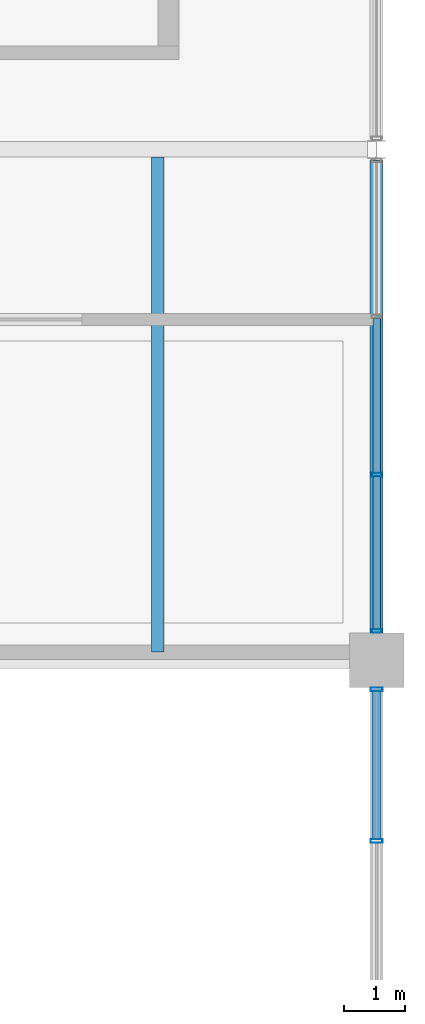
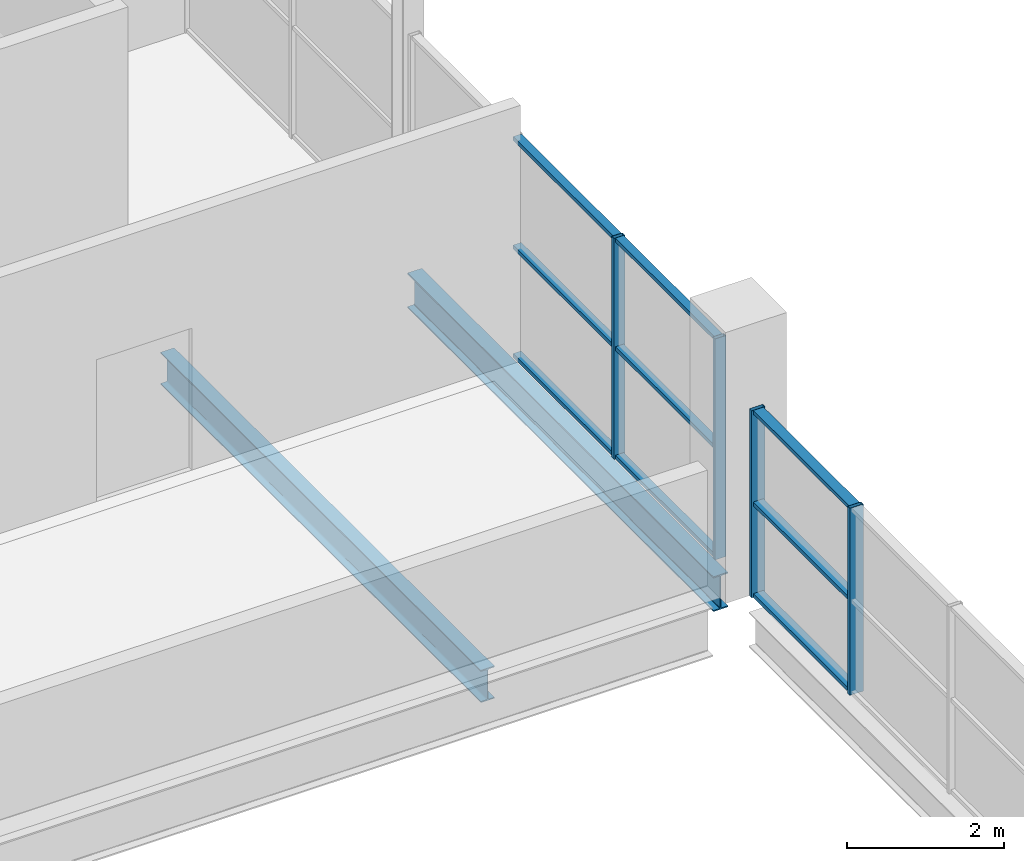
# One storey, part 42 of 68: 13 members, 2 beams, 2 elements without a shape of their own.
"""IFC4 building model written with IfcOpenShell, lengths in metres."""

from ifc_helpers import new_model, si_unit, direction, frame, origin, origin_2d, place, context, subcontext, project, spatial, hollow_rectangle, i_section, extrude, material, material_profile, profile_set, type_object, element, aggregate, save


model = new_model("IFC4")

# Units and contexts
model_context = context("Model", 3, precision=1e-05, world=origin(), true_north=direction((0.0, 1.0)))
body_context = subcontext(model_context, "Body", "Model", "MODEL_VIEW")
ifc_project = project(units=[si_unit("LENGTHUNIT", "METRE"), si_unit("AREAUNIT", "SQUARE_METRE"), si_unit("VOLUMEUNIT", "CUBIC_METRE"), si_unit("PLANEANGLEUNIT", "RADIAN"), si_unit("MASSUNIT", "GRAM", prefix="KILO"), si_unit("THERMODYNAMICTEMPERATUREUNIT", "KELVIN")], contexts=[model_context])

# Site, building, storey
site_placement = place(None, origin())
site = spatial("IfcSite", under=ifc_project, at=site_placement, CompositionType="ELEMENT")
building_placement = place(site_placement, origin())
building = spatial("IfcBuilding", under=site, at=building_placement, Name="Nduvali Passage Aquatics Centre", CompositionType="ELEMENT")
storey_placement = place(building_placement, frame((0.0, 0.0, 13.199951171875)))
storey = spatial("IfcBuildingStorey", under=building, at=storey_placement, Name="L03", CompositionType="ELEMENT", Elevation=13.199951171875)

# Curtain wall, members
ifc_material_1 = material(Name="Aluminium EN AW-6063 T6", Category="aluminium")
curtain_wall_type_1 = type_object("IfcCurtainWallType", Name="ENV-CW-PASS", PredefinedType="NOTDEFINED", material=ifc_material_1)
curtain_wall_1_placement = place(storey_placement, origin())
curtain_wall_1 = element("IfcCurtainWall", 1, at=curtain_wall_1_placement, inside=storey, type_object=curtain_wall_type_1, Name="L03 East Passage Teaching CW 119", PredefinedType="NOTDEFINED")
ifc_material_profile_1 = material_profile(ifc_material_1, hollow_rectangle(XDim=0.06005859375, YDim=0.159912109375, WallThickness=0.00390625, at=origin_2d()), Name="ALU MULLION 60x160x4")
ifc_profile_set_1 = profile_set([ifc_material_profile_1], Name="Aluminium EN AW-6063 T6")
member_type_1 = type_object("IfcMemberType", Name="ENV-MEM-MUL60", PredefinedType="MULLION", material=ifc_profile_set_1)
member_1_placement = place(storey_placement, frame((126.0, 92.8798828125, 0.0), z_axis=(0.0, 0.0, 1.0), x_axis=(0.0, 1.0, 0.0)))
member_1 = element("IfcMember", 2, at=member_1_placement, type_object=member_type_1, Name="East Passage Teaching CW Mullion 1", PredefinedType="MULLION", context=body_context, shape_type="SweptSolid", body=[
    extrude(hollow_rectangle(XDim=0.06005859375, YDim=0.159912109375, WallThickness=0.00390625, at=origin_2d()), origin(), (0.0, 0.0, 1.0), 3.4267578125),
])
member_2_placement = place(storey_placement, frame((126.0, 95.449951171875, 0.0), z_axis=(0.0, 0.0, 1.0), x_axis=(0.0, 1.0, 0.0)))
member_2 = element("IfcMember", 3, at=member_2_placement, type_object=member_type_1, Name="East Passage Teaching CW Mullion 2", PredefinedType="MULLION", context=body_context, shape_type="SweptSolid", body=[
    extrude(hollow_rectangle(XDim=0.06005859375, YDim=0.159912109375, WallThickness=0.00390625, at=origin_2d()), origin(), (0.0, 0.0, 1.0), 3.4267578125),
])

curtain_wall_type_2 = type_object("IfcCurtainWallType", Name="ENV-CW-CLER", PredefinedType="NOTDEFINED", material=ifc_material_1)
curtain_wall_2_placement = place(storey_placement, origin())
curtain_wall_2 = element("IfcCurtainWall", 4, at=curtain_wall_2_placement, inside=storey, type_object=curtain_wall_type_2, Name="L03 East Passage Pool Hall High Arch Clerestory 043", PredefinedType="NOTDEFINED")
ifc_material_profile_2 = material_profile(ifc_material_1, hollow_rectangle(XDim=0.06005859375, YDim=0.199951171875, WallThickness=0.00390625, at=origin_2d()), Name="ALU MULLION 60x200x4")
ifc_profile_set_2 = profile_set([ifc_material_profile_2], Name="Aluminium EN AW-6063 T6")
member_type_2 = type_object("IfcMemberType", Name="ENV-MEM-MUL80", PredefinedType="MULLION", material=ifc_profile_set_2)
member_3_placement = place(storey_placement, frame((126.0, 89.425048828125, 0.0), z_axis=(0.0, 0.0, 1.0), x_axis=(0.0, 1.0, 0.0)))
member_3 = element("IfcMember", 5, at=member_3_placement, type_object=member_type_2, Name="East Passage Pool Hall High Arch Clerestory Mullion 3", PredefinedType="MULLION", context=body_context, shape_type="SweptSolid", body=[
    extrude(hollow_rectangle(XDim=0.06005859375, YDim=0.199951171875, WallThickness=0.00390625, at=origin_2d()), origin(), (0.0, 0.0, 1.0), 2.900146484375),
])
member_4_placement = place(storey_placement, frame((126.0, 91.919921875, 0.0), z_axis=(0.0, 0.0, 1.0), x_axis=(0.0, 1.0, 0.0)))
member_4 = element("IfcMember", 6, at=member_4_placement, type_object=member_type_2, Name="East Passage Pool Hall High Arch Clerestory Mullion 4", PredefinedType="MULLION", context=body_context, shape_type="SweptSolid", body=[
    extrude(hollow_rectangle(XDim=0.06005859375, YDim=0.199951171875, WallThickness=0.00390625, at=origin_2d()), origin(), (0.0, 0.0, 1.0), 2.900146484375),
])

# Member
ifc_material_profile_3 = material_profile(ifc_material_1, hollow_rectangle(XDim=0.1201171875, YDim=0.06005859375, WallThickness=0.00390625, at=origin_2d()), Name="ALU TRANSOM 120x60x4")
ifc_profile_set_3 = profile_set([ifc_material_profile_3], Name="Aluminium EN AW-6063 T6")
member_type_3 = type_object("IfcMemberType", Name="ENV-MEM-TRN60", PredefinedType="USERDEFINED", material=ifc_profile_set_3)
member_5_placement = place(storey_placement, frame((126.0, 92.909912109375, 0.030029296875), z_axis=(0.0, 1.0, 0.0), x_axis=(-1.0, 0.0, 0.0)))
member_5 = element("IfcMember", 7, at=member_5_placement, type_object=member_type_3, Name="East Passage Teaching CW Transom B1-R0", ObjectType="TRANSOM", PredefinedType="USERDEFINED", context=body_context, shape_type="SweptSolid", body=[
    extrude(hollow_rectangle(XDim=0.1201171875, YDim=0.06005859375, WallThickness=0.00390625, at=origin_2d()), origin(), (0.0, 0.0, 1.0), 2.510009765625),
])

member_6_placement = place(storey_placement, frame((126.0, 92.909912109375, 1.71337890625), z_axis=(0.0, 1.0, 0.0), x_axis=(-1.0, 0.0, 0.0)))
member_6 = element("IfcMember", 8, at=member_6_placement, type_object=member_type_3, Name="East Passage Teaching CW Transom B1-R1", ObjectType="TRANSOM", PredefinedType="USERDEFINED", context=body_context, shape_type="SweptSolid", body=[
    extrude(hollow_rectangle(XDim=0.1201171875, YDim=0.06005859375, WallThickness=0.00390625, at=origin_2d()), origin(), (0.0, 0.0, 1.0), 2.510009765625),
])

member_7_placement = place(storey_placement, frame((126.0, 92.909912109375, 3.396728515625), z_axis=(0.0, 1.0, 0.0), x_axis=(-1.0, 0.0, 0.0)))
member_7 = element("IfcMember", 9, at=member_7_placement, type_object=member_type_3, Name="East Passage Teaching CW Transom B1-R2", ObjectType="TRANSOM", PredefinedType="USERDEFINED", context=body_context, shape_type="SweptSolid", body=[
    extrude(hollow_rectangle(XDim=0.1201171875, YDim=0.06005859375, WallThickness=0.00390625, at=origin_2d()), origin(), (0.0, 0.0, 1.0), 2.510009765625),
])

member_8_placement = place(storey_placement, frame((126.0, 95.47998046875, 0.030029296875), z_axis=(0.0, 1.0, 0.0), x_axis=(-1.0, 0.0, 0.0)))
member_8 = element("IfcMember", 10, at=member_8_placement, type_object=member_type_3, Name="East Passage Teaching CW Transom B2-R0", ObjectType="TRANSOM", PredefinedType="USERDEFINED", context=body_context, shape_type="SweptSolid", body=[
    extrude(hollow_rectangle(XDim=0.1201171875, YDim=0.06005859375, WallThickness=0.00390625, at=origin_2d()), origin(), (0.0, 0.0, 1.0), 2.5400390625),
])

member_9_placement = place(storey_placement, frame((126.0, 95.47998046875, 1.71337890625), z_axis=(0.0, 1.0, 0.0), x_axis=(-1.0, 0.0, 0.0)))
member_9 = element("IfcMember", 11, at=member_9_placement, type_object=member_type_3, Name="East Passage Teaching CW Transom B2-R1", ObjectType="TRANSOM", PredefinedType="USERDEFINED", context=body_context, shape_type="SweptSolid", body=[
    extrude(hollow_rectangle(XDim=0.1201171875, YDim=0.06005859375, WallThickness=0.00390625, at=origin_2d()), origin(), (0.0, 0.0, 1.0), 2.5400390625),
])

member_10_placement = place(storey_placement, frame((126.0, 95.47998046875, 3.396728515625), z_axis=(0.0, 1.0, 0.0), x_axis=(-1.0, 0.0, 0.0)))
member_10 = element("IfcMember", 12, at=member_10_placement, type_object=member_type_3, Name="East Passage Teaching CW Transom B2-R2", ObjectType="TRANSOM", PredefinedType="USERDEFINED", context=body_context, shape_type="SweptSolid", body=[
    extrude(hollow_rectangle(XDim=0.1201171875, YDim=0.06005859375, WallThickness=0.00390625, at=origin_2d()), origin(), (0.0, 0.0, 1.0), 2.5400390625),
])

aggregate(curtain_wall_1, [member_1, member_2, member_5, member_6, member_7, member_8, member_9, member_10])

ifc_material_profile_4 = material_profile(ifc_material_1, hollow_rectangle(XDim=0.14990234375, YDim=0.06005859375, WallThickness=0.00390625, at=origin_2d()), Name="ALU TRANSOM 150x60x4")
ifc_profile_set_4 = profile_set([ifc_material_profile_4], Name="Aluminium EN AW-6063 T6")
member_type_4 = type_object("IfcMemberType", Name="ENV-MEM-TRN80", PredefinedType="USERDEFINED", material=ifc_profile_set_4)
member_11_placement = place(storey_placement, frame((126.0, 89.455078125, 0.030029296875), z_axis=(0.0, 1.0, 0.0), x_axis=(-1.0, 0.0, 0.0)))
member_11 = element("IfcMember", 13, at=member_11_placement, type_object=member_type_4, Name="East Passage Pool Hall High Arch Clerestory Transom B3-R0", ObjectType="TRANSOM", PredefinedType="USERDEFINED", context=body_context, shape_type="SweptSolid", body=[
    extrude(hollow_rectangle(XDim=0.14990234375, YDim=0.06005859375, WallThickness=0.00390625, at=origin_2d()), origin(), (0.0, 0.0, 1.0), 2.434814453125),
])

member_12_placement = place(storey_placement, frame((126.0, 89.455078125, 1.449951171875), z_axis=(0.0, 1.0, 0.0), x_axis=(-1.0, 0.0, 0.0)))
member_12 = element("IfcMember", 14, at=member_12_placement, type_object=member_type_4, Name="East Passage Pool Hall High Arch Clerestory Transom B3-R1", ObjectType="TRANSOM", PredefinedType="USERDEFINED", context=body_context, shape_type="SweptSolid", body=[
    extrude(hollow_rectangle(XDim=0.14990234375, YDim=0.06005859375, WallThickness=0.00390625, at=origin_2d()), origin(), (0.0, 0.0, 1.0), 2.434814453125),
])

member_13_placement = place(storey_placement, frame((126.0, 89.455078125, 2.8701171875), z_axis=(0.0, 1.0, 0.0), x_axis=(-1.0, 0.0, 0.0)))
member_13 = element("IfcMember", 15, at=member_13_placement, type_object=member_type_4, Name="East Passage Pool Hall High Arch Clerestory Transom B3-R2", ObjectType="TRANSOM", PredefinedType="USERDEFINED", context=body_context, shape_type="SweptSolid", body=[
    extrude(hollow_rectangle(XDim=0.14990234375, YDim=0.06005859375, WallThickness=0.00390625, at=origin_2d()), origin(), (0.0, 0.0, 1.0), 2.434814453125),
])

aggregate(curtain_wall_2, [member_3, member_4, member_11, member_12, member_13])

# Beams
ifc_material_2 = material(Name="Steel S355", Category="steel")
ifc_material_profile_5 = material_profile(ifc_material_2, i_section(OverallWidth=0.210693359375, OverallDepth=0.53955078125, WebThickness=0.01171875, FlangeThickness=0.018798828125, FilletRadius=0.0126953125, at=origin_2d()), Name="UKB 533x210x109")
ifc_profile_set_5 = profile_set([ifc_material_profile_5], Name="Steel S355")
beam_type_1 = type_object("IfcBeamType", Name="STR-BM-UKB533-EXT", PredefinedType="BEAM", material=ifc_profile_set_5)
beam_1_placement = place(storey_placement, frame((126.0, 92.85009765625, -0.523681640625), z_axis=(0.0, 1.0, 0.0), x_axis=(-1.0, 0.0, 0.0)))
element("IfcBeam", 16, at=beam_1_placement, inside=storey, type_object=beam_type_1, Name="L03 Primary Y-Girder B6E-1281", PredefinedType="BEAM", context=body_context, shape_type="SweptSolid", body=[
    extrude(i_section(OverallWidth=0.210693359375, OverallDepth=0.53955078125, WebThickness=0.01171875, FlangeThickness=0.018798828125, FilletRadius=0.0126953125, at=origin_2d()), origin(), (0.0, 0.0, 1.0), 7.77490234375),
])
ifc_material_profile_6 = material_profile(ifc_material_2, i_section(OverallWidth=0.199951171875, OverallDepth=0.5, WebThickness=0.01025390625, FlangeThickness=0.01611328125, FilletRadius=0.02099609375, at=origin_2d()), Name="IPE 500")
ifc_profile_set_6 = profile_set([ifc_material_profile_6], Name="Steel S355")
beam_type_2 = type_object("IfcBeamType", Name="STR-JST-IPE500", PredefinedType="JOIST", material=ifc_profile_set_6)
beam_2_placement = place(storey_placement, frame((122.39990234375, 92.533203125, -0.50390625), z_axis=(0.0, 1.0, 0.0), x_axis=(-1.0, 0.0, 0.0)))
element("IfcBeam", 17, at=beam_2_placement, inside=storey, type_object=beam_type_2, Name="L03 Secondary Joist J5A-1295", PredefinedType="JOIST", context=body_context, shape_type="SweptSolid", body=[
    extrude(i_section(OverallWidth=0.199951171875, OverallDepth=0.5, WebThickness=0.01025390625, FlangeThickness=0.01611328125, FilletRadius=0.02099609375, at=origin_2d()), origin(), (0.0, 0.0, 1.0), 8.139892578125),
])

save(model, "model.ifc")
